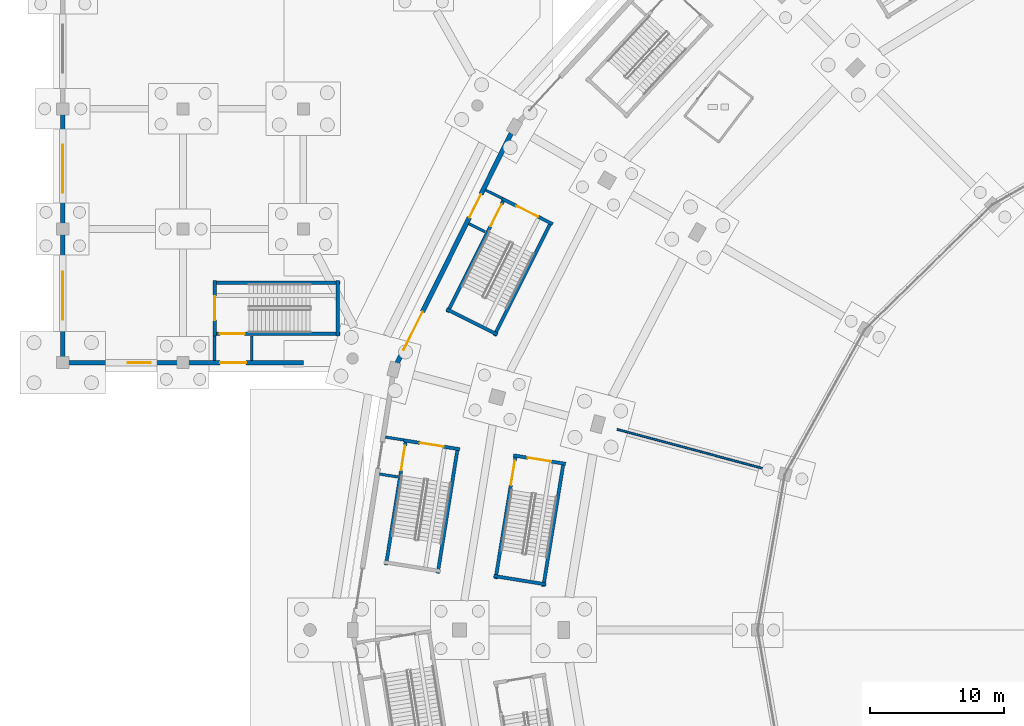
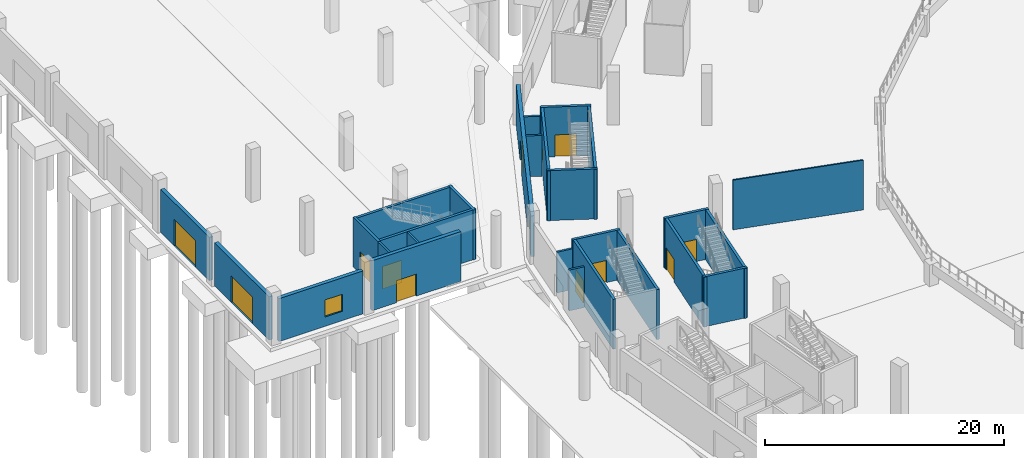
# One storey, part 35 of 103: 27 walls, 13 doors, 1 window, 14 openings.
"""IFC4 building model written with IfcOpenShell, lengths in metres."""

from ifc_helpers import new_model, si_unit, direction, frame, frame_2d, origin, place, context, subcontext, project, spatial, rectangle, extrude, material, layer, layer_set, type_object, element, fill, save


model = new_model("IFC4")

# Units and contexts
model_context = context("Model", 3, precision=1e-05, world=origin(), true_north=direction((0.0, 1.0)))
body_context = subcontext(model_context, "Body", "Model", "MODEL_VIEW")
ifc_project = project(units=[si_unit("LENGTHUNIT", "METRE"), si_unit("AREAUNIT", "SQUARE_METRE"), si_unit("VOLUMEUNIT", "CUBIC_METRE"), si_unit("PLANEANGLEUNIT", "RADIAN"), si_unit("MASSUNIT", "GRAM", prefix="KILO")], contexts=[model_context])

# Site, building, storey
site_placement = place(None, origin())
site = spatial("IfcSite", under=ifc_project, at=site_placement, CompositionType="ELEMENT")
building_placement = place(site_placement, origin())
building = spatial("IfcBuilding", under=site, at=building_placement, Name="Zevraka Park Crest Stadium", CompositionType="ELEMENT")
storey_placement = place(building_placement, origin())
storey = spatial("IfcBuildingStorey", under=building, at=storey_placement, Name="L00", CompositionType="ELEMENT", Elevation=0.0)

# Wall, openings, doors
ifc_material_1 = material(Name="Limestone and red clay brick masonry", Category="masonry")
ifc_layer_1 = layer(ifc_material_1, 0.35009765625)
ifc_layer_set_1 = layer_set([ifc_layer_1], Name="Limestone and red clay brick masonry")
wall_type_1 = type_object("IfcWallType", Name="EW01", PredefinedType="STANDARD", material=ifc_layer_set_1)
wall_1_placement = place(storey_placement, frame((25.014892578125, 111.968994140625, 0.0), z_axis=(0.0, 0.0, 1.0), x_axis=(0.444884558919, 0.895587923788, 0.0)))
wall_1 = element("IfcWall", 1, at=wall_1_placement, inside=storey, type_object=wall_type_1, Name="L00 Pointed-Arch Colonnade Wall EW01 10", PredefinedType="STANDARD", context=body_context, shape_type="SweptSolid", body=[
    extrude(rectangle(XDim=19.21630859375, YDim=0.35009765625, at=frame_2d((9.608154296875, 0.0))), origin(), (0.0, 0.0, 1.0), 4.1650390625),
])
opening_1_placement = place(wall_1_placement, frame((12.160888671875, 0.0, 0.0)))
opening_1 = element("IfcOpeningElement", 2, at=opening_1_placement, cuts=wall_1, Name="Opening D-L00-EX-ST11", PredefinedType="OPENING", context=body_context, shape_type="SweptSolid", body=[
    extrude(rectangle(XDim=1.949951171875, YDim=2.25, at=frame_2d((0.97509765625, 1.125))), frame((0.0, 0.18505859375, 0.0), z_axis=(0.0, -1.0, 0.0), x_axis=(1.0, 0.0, 0.0)), (0.0, 0.0, 1.0), 0.3701171875),
])
opening_2_placement = place(wall_1_placement, frame((1.090087890625, 0.0, 0.0)))
opening_2 = element("IfcOpeningElement", 3, at=opening_2_placement, cuts=wall_1, Name="Opening D-L00-E11", PredefinedType="OPENING", context=body_context, shape_type="SweptSolid", body=[
    extrude(rectangle(XDim=3.199951171875, YDim=2.60009765625, at=frame_2d((1.60009765625, 1.300048828125))), frame((0.0, 0.18505859375, 0.0), z_axis=(0.0, -1.0, 0.0), x_axis=(1.0, 0.0, 0.0)), (0.0, 0.0, 1.0), 0.3701171875),
])
ifc_material_2 = material(Name="Thermally broken architectural aluminium and safety glass", Category="aluminium")
door_type_1 = type_object("IfcDoorType", Name="ED03", OperationType="NOTDEFINED", PredefinedType="DOOR", material=ifc_material_2)
door_1_placement = place(opening_2_placement, origin())
door_1 = element("IfcDoor", 4, at=door_1_placement, inside=storey, type_object=door_type_1, Name="Concourse Final Exit E11", OperationType="DOUBLE_DOOR_SINGLE_SWING", OverallHeight=2.60009765625, OverallWidth=3.199951171875, PredefinedType="DOOR", context=body_context, shape_type="SweptSolid", body=[
    extrude(rectangle(XDim=3.199951171875, YDim=2.60009765625, at=frame_2d((1.60009765625, 1.300048828125))), frame((0.0, 0.02490234375, 0.0), z_axis=(0.0, -1.0, 0.0), x_axis=(1.0, 0.0, 0.0)), (0.0, 0.0, 1.0), 0.050048828125),
])
fill(opening_2, door_1)
ifc_material_3 = material(Name="Thermally broken architectural aluminium and safety glass", Category="aluminium")
door_type_2 = type_object("IfcDoorType", Name="ED05", OperationType="NOTDEFINED", PredefinedType="DOOR", material=ifc_material_3)
door_2_placement = place(opening_1_placement, origin())
door_2 = element("IfcDoor", 5, at=door_2_placement, inside=storey, type_object=door_type_2, Name="Stair Final Exit Discharge Door D-L00-EX-ST11", OperationType="DOUBLE_DOOR_SINGLE_SWING", OverallHeight=2.25, OverallWidth=1.949951171875, PredefinedType="DOOR", context=body_context, shape_type="SweptSolid", body=[
    extrude(rectangle(XDim=1.949951171875, YDim=2.25, at=frame_2d((0.97509765625, 1.125))), frame((0.0, 0.02490234375, 0.0), z_axis=(0.0, -1.0, 0.0), x_axis=(1.0, 0.0, 0.0)), (0.0, 0.0, 1.0), 0.050048828125),
])
fill(opening_1, door_2)

# Wall, opening, door
wall_2_placement = place(storey_placement, frame((0.0, 112.425048828125, 0.0), z_axis=(0.0, 0.0, 1.0), x_axis=(0.0, 1.0, 0.0)))
wall_2 = element("IfcWall", 6, at=wall_2_placement, inside=storey, type_object=wall_type_1, Name="Wing External Cavity Wall EW01 L00-NW-W-1", PredefinedType="STANDARD", context=body_context, shape_type="SweptSolid", body=[
    extrude(rectangle(XDim=9.14990234375, YDim=0.35009765625, at=frame_2d((4.574951171875, 0.0))), origin(), (0.0, 0.0, 1.0), 4.4169921875),
])
opening_3_placement = place(wall_2_placement, frame((2.77490234375, 0.0, 0.0)))
opening_3 = element("IfcOpeningElement", 7, at=opening_3_placement, cuts=wall_2, Name="Opening D-L00-E33", PredefinedType="OPENING", context=body_context, shape_type="SweptSolid", body=[
    extrude(rectangle(XDim=3.60009765625, YDim=2.699951171875, at=frame_2d((1.800048828125, 1.35009765625))), frame((0.0, 0.18505859375, 0.0), z_axis=(0.0, -1.0, 0.0), x_axis=(1.0, 0.0, 0.0)), (0.0, 0.0, 1.0), 0.3701171875),
])
ifc_material_4 = material(Name="Thermally broken architectural aluminium and safety glass", Category="aluminium")
door_type_3 = type_object("IfcDoorType", Name="ED01", OperationType="NOTDEFINED", PredefinedType="DOOR", material=ifc_material_4)
door_3_placement = place(opening_3_placement, origin())
door_3 = element("IfcDoor", 8, at=door_3_placement, inside=storey, type_object=door_type_3, Name="Concourse Final Exit E33", OperationType="DOUBLE_DOOR_SINGLE_SWING", OverallHeight=2.699951171875, OverallWidth=3.60009765625, PredefinedType="DOOR", context=body_context, shape_type="SweptSolid", body=[
    extrude(rectangle(XDim=3.60009765625, YDim=2.699951171875, at=frame_2d((1.800048828125, 1.35009765625))), frame((0.0, 0.02490234375, 0.0), z_axis=(0.0, -1.0, 0.0), x_axis=(1.0, 0.0, 0.0)), (0.0, 0.0, 1.0), 0.050048828125),
])
fill(opening_3, door_3)

wall_3_placement = place(storey_placement, frame((0.0, 122.425048828125, 0.0), z_axis=(0.0, 0.0, 1.0), x_axis=(0.0, 1.0, 0.0)))
wall_3 = element("IfcWall", 9, at=wall_3_placement, inside=storey, type_object=wall_type_1, Name="Wing External Cavity Wall EW01 L00-NW-W-2", PredefinedType="STANDARD", context=body_context, shape_type="SweptSolid", body=[
    extrude(rectangle(XDim=8.14990234375, YDim=0.35009765625, at=frame_2d((4.074951171875, 0.0))), origin(), (0.0, 0.0, 1.0), 4.4169921875),
])
opening_4_placement = place(wall_3_placement, frame((2.27490234375, 0.0, 0.0)))
opening_4 = element("IfcOpeningElement", 10, at=opening_4_placement, cuts=wall_3, Name="Opening D-L00-E34", PredefinedType="OPENING", context=body_context, shape_type="SweptSolid", body=[
    extrude(rectangle(XDim=3.60009765625, YDim=2.699951171875, at=frame_2d((1.800048828125, 1.35009765625))), frame((0.0, 0.18505859375, 0.0), z_axis=(0.0, -1.0, 0.0), x_axis=(1.0, 0.0, 0.0)), (0.0, 0.0, 1.0), 0.3701171875),
])
door_4_placement = place(opening_4_placement, origin())
door_4 = element("IfcDoor", 11, at=door_4_placement, inside=storey, type_object=door_type_3, Name="Concourse Final Exit E34", OperationType="DOUBLE_DOOR_SINGLE_SWING", OverallHeight=2.699951171875, OverallWidth=3.60009765625, PredefinedType="DOOR", context=body_context, shape_type="SweptSolid", body=[
    extrude(rectangle(XDim=3.60009765625, YDim=2.699951171875, at=frame_2d((1.800048828125, 1.35009765625))), frame((0.0, 0.02490234375, 0.0), z_axis=(0.0, -1.0, 0.0), x_axis=(1.0, 0.0, 0.0)), (0.0, 0.0, 1.0), 0.050048828125),
])
fill(opening_4, door_4)

wall_4_placement = place(storey_placement, frame((18.0, 112.0, 0.0), z_axis=(0.0, 0.0, 1.0), x_axis=(-1.0, 0.0, 0.0)))
wall_4 = element("IfcWall", 12, at=wall_4_placement, inside=storey, type_object=wall_type_1, Name="Wing External Cavity Wall EW01 L00-NW-S0-2", PredefinedType="STANDARD", context=body_context, shape_type="SweptSolid", body=[
    extrude(rectangle(XDim=8.574951171875, YDim=0.35009765625, at=frame_2d((4.28759765625, 0.0))), origin(), (0.0, 0.0, 1.0), 5.10009765625),
])
opening_5_placement = place(wall_4_placement, frame((4.27490234375, 0.0, 0.0)))
opening_5 = element("IfcOpeningElement", 13, at=opening_5_placement, cuts=wall_4, Name="Opening D-L00-EX-ST48", PredefinedType="OPENING", context=body_context, shape_type="SweptSolid", body=[
    extrude(rectangle(XDim=1.949951171875, YDim=2.25, at=frame_2d((0.97509765625, 1.125))), frame((0.0, 0.18505859375, 0.0), z_axis=(0.0, -1.0, 0.0), x_axis=(1.0, 0.0, 0.0)), (0.0, 0.0, 1.0), 0.3701171875),
])
door_5_placement = place(opening_5_placement, origin())
door_5 = element("IfcDoor", 14, at=door_5_placement, inside=storey, type_object=door_type_2, Name="Stair Final Exit Discharge Door D-L00-EX-ST48", OperationType="DOUBLE_DOOR_SINGLE_SWING", OverallHeight=2.25, OverallWidth=1.949951171875, PredefinedType="DOOR", context=body_context, shape_type="SweptSolid", body=[
    extrude(rectangle(XDim=1.949951171875, YDim=2.25, at=frame_2d((0.97509765625, 1.125))), frame((0.0, 0.02490234375, 0.0), z_axis=(0.0, -1.0, 0.0), x_axis=(1.0, 0.0, 0.0)), (0.0, 0.0, 1.0), 0.050048828125),
])
fill(opening_5, door_5)

# Wall, opening, window
wall_5_placement = place(storey_placement, frame((8.574951171875, 112.0, 0.0), z_axis=(0.0, 0.0, 1.0), x_axis=(-1.0, 0.0, 0.0)))
wall_5 = element("IfcWall", 15, at=wall_5_placement, inside=storey, type_object=wall_type_1, Name="Wing External Cavity Wall EW01 L00-NW-S0-3", PredefinedType="STANDARD", context=body_context, shape_type="SweptSolid", body=[
    extrude(rectangle(XDim=8.14990234375, YDim=0.35009765625, at=frame_2d((4.074951171875, 0.0))), origin(), (0.0, 0.0, 1.0), 4.383544921875),
])
opening_6_placement = place(wall_5_placement, frame((2.001953125, 0.0, 0.949951171875)))
opening_6 = element("IfcOpeningElement", 16, at=opening_6_placement, cuts=wall_5, Name="Opening WN16", PredefinedType="OPENING", context=body_context, shape_type="SweptSolid", body=[
    extrude(rectangle(XDim=1.699951171875, YDim=1.75, at=frame_2d((0.85009765625, 0.875))), frame((0.0, 0.18505859375, 0.0), z_axis=(0.0, -1.0, 0.0), x_axis=(1.0, 0.0, 0.0)), (0.0, 0.0, 1.0), 0.3701171875),
])
ifc_material_5 = material(Name="Solar-control laminated double glazing in aluminium frame", Category="aluminium")
window_type = type_object("IfcWindowType", Name="WN16", PartitioningType="SINGLE_PANEL", PredefinedType="WINDOW", material=ifc_material_5)
window_placement = place(opening_6_placement, origin())
window = element("IfcWindow", 17, at=window_placement, inside=storey, type_object=window_type, Name="Facade Casement Window WN16 W-L00-057", OverallHeight=1.75, OverallWidth=1.699951171875, PartitioningType="SINGLE_PANEL", PredefinedType="WINDOW", context=body_context, shape_type="SweptSolid", body=[
    extrude(rectangle(XDim=1.699951171875, YDim=1.75, at=frame_2d((0.85009765625, 0.875))), frame((0.0, 0.030029296875, 0.0), z_axis=(0.0, -1.0, 0.0), x_axis=(1.0, 0.0, 0.0)), (0.0, 0.0, 1.0), 0.06005859375),
])
fill(opening_6, window)

# Walls
ifc_material_6 = material(Name="Autoclaved aerated masonry blockwork", Category="masonry")
ifc_layer_2 = layer(ifc_material_6, 0.199951171875)
ifc_layer_set_2 = layer_set([ifc_layer_2], Name="Autoclaved aerated masonry blockwork")
wall_type_2 = type_object("IfcWallType", Name="IW01", PredefinedType="PARTITIONING", material=ifc_layer_set_2)
wall_6_placement = place(storey_placement, frame((32.86669921875, 124.300048828125, 0.0), z_axis=(0.0, 0.0, 1.0), x_axis=(-0.895547753185, 0.444965416371, 0.0)))
element("IfcWall", 18, at=wall_6_placement, inside=storey, type_object=wall_type_2, Name="Protected Exit Passageway Wall IW01 ST11-A", PredefinedType="PARTITIONING", context=body_context, shape_type="SweptSolid", body=[
    extrude(rectangle(XDim=1.390869140625, YDim=0.199951171875, at=frame_2d((0.6953125, 0.0))), origin(), (0.0, 0.0, 1.0), 4.1650390625),
])
wall_7_placement = place(storey_placement, frame((31.612548828125, 121.796630859375, 0.0), z_axis=(0.0, 0.0, 1.0), x_axis=(-0.895731004012, 0.44459641075, 0.0)))
element("IfcWall", 19, at=wall_7_placement, inside=storey, type_object=wall_type_2, Name="Protected Exit Passageway Wall IW01 ST11-B", PredefinedType="PARTITIONING", context=body_context, shape_type="SweptSolid", body=[
    extrude(rectangle(XDim=1.381591796875, YDim=0.199951171875, at=frame_2d((0.69091796875, 0.0))), origin(), (0.0, 0.0, 1.0), 4.1650390625),
])
wall_8_placement = place(storey_placement, frame((25.5078125, 106.217529296875, 0.0), z_axis=(0.0, 0.0, 1.0), x_axis=(-0.987768665993, 0.155926464982, 0.0)))
element("IfcWall", 20, at=wall_8_placement, inside=storey, type_object=wall_type_2, Name="Protected Exit Passageway Wall IW01 ST12-A", PredefinedType="PARTITIONING", context=body_context, shape_type="SweptSolid", body=[
    extrude(rectangle(XDim=1.388916015625, YDim=0.199951171875, at=frame_2d((0.6943359375, 0.0))), origin(), (0.0, 0.0, 1.0), 4.1650390625),
])
wall_9_placement = place(storey_placement, frame((25.0673828125, 103.452392578125, 0.0), z_axis=(0.0, 0.0, 1.0), x_axis=(-0.987817205995, 0.155618660641, 0.0)))
element("IfcWall", 21, at=wall_9_placement, inside=storey, type_object=wall_type_2, Name="Protected Exit Passageway Wall IW01 ST12-B", PredefinedType="PARTITIONING", context=body_context, shape_type="SweptSolid", body=[
    extrude(rectangle(XDim=1.38525390625, YDim=0.199951171875, at=frame_2d((0.692626953125, 0.0))), origin(), (0.0, 0.0, 1.0), 4.1650390625),
])
for number, where, z_axis, x_axis, name in (
    (22, (11.35009765625, 114.0, 0.0), (0.0, 0.0, 1.0), (0.0, -1.0, 0.0), "Protected Exit Passageway Wall IW01 ST48-A"),
    (23, (14.14990234375, 114.0, 0.0), (0.0, 0.0, 1.0), (0.0, -1.0, 0.0), "Protected Exit Passageway Wall IW01 ST48-B"),
):
    element("IfcWall", number, at=place(storey_placement, frame(where, z_axis=z_axis, x_axis=x_axis)), inside=storey, type_object=wall_type_2, Name=name, PredefinedType="PARTITIONING", context=body_context, shape_type="SweptSolid", body=[
        extrude(rectangle(XDim=1.844970703125, YDim=0.199951171875, at=frame_2d((0.92236328125, 0.0))), origin(), (0.0, 0.0, 1.0), 5.080078125),
    ])
ifc_material_7 = material(Name="Fire-rated twin-stud acoustic drywall", Category="other")
ifc_layer_3 = layer(ifc_material_7, 0.139892578125)
ifc_layer_set_3 = layer_set([ifc_layer_3], Name="Fire-rated twin-stud acoustic drywall")
wall_type_3 = type_object("IfcWallType", Name="IW03", PredefinedType="PARTITIONING", material=ifc_layer_set_3)
wall_10_placement = place(storey_placement, frame((52.402099609375, 104.0869140625, 0.0), z_axis=(0.0, 0.0, 1.0), x_axis=(-0.965917575353, 0.258849836054, 0.0)))
element("IfcWall", 24, at=wall_10_placement, inside=storey, type_object=wall_type_3, Name="Interior Partition IW03 Match Officials and Medical Doping Room L00", PredefinedType="PARTITIONING", context=body_context, shape_type="SweptSolid", body=[
    extrude(rectangle(XDim=11.30029296875, YDim=0.139892578125, at=frame_2d((5.650146484375, 0.0))), origin(), (0.0, 0.0, 1.0), 5.080078125),
])

# Wall, opening, door
ifc_material_8 = material(Name="Concrete C40/50", Category="concrete")
ifc_layer_4 = layer(ifc_material_8, 0.25)
ifc_layer_set_4 = layer_set([ifc_layer_4], Name="Concrete C40/50")
wall_type_4 = type_object("IfcWallType", Name="SW01", PredefinedType="SHEAR", material=ifc_layer_set_4)
wall_11_placement = place(storey_placement, frame((28.785888671875, 115.77490234375, 0.0), z_axis=(0.0, 0.0, 1.0), x_axis=(0.447919041961, 0.894074119885, 0.0)))
wall_11 = element("IfcWall", 25, at=wall_11_placement, inside=storey, type_object=wall_type_4, Name="Stair Core Shear Wall SW01 ST11 L00 left", PredefinedType="SHEAR", context=body_context, shape_type="SweptSolid", body=[
    extrude(rectangle(XDim=9.5498046875, YDim=0.25, at=frame_2d((4.77490234375, 0.0))), origin(), (0.0, 0.0, 1.0), 5.10009765625),
])
opening_7_placement = place(wall_11_placement, frame((7.18994140625, 0.0, 0.0)))
opening_7 = element("IfcOpeningElement", 26, at=opening_7_placement, cuts=wall_11, Name="Opening D-L00-063", PredefinedType="OPENING", context=body_context, shape_type="SweptSolid", body=[
    extrude(rectangle(XDim=1.85009765625, YDim=2.300048828125, at=frame_2d((0.925048828125, 1.14990234375))), frame((0.0, 0.135009765625, 0.0), z_axis=(0.0, -1.0, 0.0), x_axis=(1.0, 0.0, 0.0)), (0.0, 0.0, 1.0), 0.27001953125),
])
ifc_material_9 = material(Name="Solid-core hardwood timber leaf in steel frame", Category="steel")
door_type_4 = type_object("IfcDoorType", Name="DR05", OperationType="NOTDEFINED", PredefinedType="DOOR", material=ifc_material_9)
door_6_placement = place(opening_7_placement, origin())
door_6 = element("IfcDoor", 27, at=door_6_placement, inside=storey, type_object=door_type_4, Name="Stair Exit Discharge Door ST11", OperationType="DOUBLE_DOOR_SINGLE_SWING", OverallHeight=2.300048828125, OverallWidth=1.85009765625, PredefinedType="DOOR", context=body_context, shape_type="SweptSolid", body=[
    extrude(rectangle(XDim=1.85009765625, YDim=2.300048828125, at=frame_2d((0.925048828125, 1.14990234375))), frame((0.0, 0.02490234375, 0.0), z_axis=(0.0, -1.0, 0.0), x_axis=(1.0, 0.0, 0.0)), (0.0, 0.0, 1.0), 0.050048828125),
])
fill(opening_7, door_6)

# Wall
wall_12_placement = place(storey_placement, frame((32.29052734375, 114.01904296875, 0.0), z_axis=(0.0, 0.0, 1.0), x_axis=(0.4479088042, 0.894079248792, 0.0)))
element("IfcWall", 28, at=wall_12_placement, inside=storey, type_object=wall_type_4, Name="Stair Core Shear Wall SW01 ST11 L00 right", PredefinedType="SHEAR", context=body_context, shape_type="SweptSolid", body=[
    extrude(rectangle(XDim=9.550048828125, YDim=0.25, at=frame_2d((4.77490234375, 0.0))), origin(), (0.0, 0.0, 1.0), 5.10009765625),
])

# Wall, opening, door
wall_13_placement = place(storey_placement, frame((36.664306640625, 122.36962890625, 0.0), z_axis=(0.0, 0.0, 1.0), x_axis=(-0.894071595331, 0.447924081092, 0.0)))
wall_13 = element("IfcWall", 29, at=wall_13_placement, inside=storey, type_object=wall_type_4, Name="Stair Core Shear Wall SW01 ST11 L00 near", PredefinedType="SHEAR", context=body_context, shape_type="SweptSolid", body=[
    extrude(rectangle(XDim=4.260009765625, YDim=0.25, at=frame_2d((2.1298828125, 0.0))), origin(), (0.0, 0.0, 1.0), 5.10009765625),
])
opening_8_placement = place(wall_13_placement, frame((1.22998046875, 0.0, 0.0)))
opening_8 = element("IfcOpeningElement", 30, at=opening_8_placement, cuts=wall_13, Name="Opening D-L00-062", PredefinedType="OPENING", context=body_context, shape_type="SweptSolid", body=[
    extrude(rectangle(XDim=1.800048828125, YDim=2.25, at=frame_2d((0.89990234375, 1.125))), frame((0.0, 0.135009765625, 0.0), z_axis=(0.0, -1.0, 0.0), x_axis=(1.0, 0.0, 0.0)), (0.0, 0.0, 1.0), 0.27001953125),
])
ifc_material_10 = material(Name="Solid-core hardwood timber leaf in steel frame", Category="steel")
door_type_5 = type_object("IfcDoorType", Name="DR04", OperationType="NOTDEFINED", PredefinedType="DOOR", material=ifc_material_10)
door_7_placement = place(opening_8_placement, origin())
door_7 = element("IfcDoor", 31, at=door_7_placement, inside=storey, type_object=door_type_5, Name="Protected Stair Entry Door ST11 L00", OperationType="DOUBLE_DOOR_SINGLE_SWING", OverallHeight=2.25, OverallWidth=1.800048828125, PredefinedType="DOOR", context=body_context, shape_type="SweptSolid", body=[
    extrude(rectangle(XDim=1.800048828125, YDim=2.25, at=frame_2d((0.89990234375, 1.125))), frame((0.0, 0.02490234375, 0.0), z_axis=(0.0, -1.0, 0.0), x_axis=(1.0, 0.0, 0.0)), (0.0, 0.0, 1.0), 0.050048828125),
])
fill(opening_8, door_7)

# Wall
wall_14_placement = place(storey_placement, frame((28.716796875, 116.016357421875, 0.0), z_axis=(0.0, 0.0, 1.0), x_axis=(0.894083048484, -0.447901219481, 0.0)))
element("IfcWall", 32, at=wall_14_placement, inside=storey, type_object=wall_type_4, Name="Stair Core Shear Wall SW01 ST11 L00 far", PredefinedType="SHEAR", context=body_context, shape_type="SweptSolid", body=[
    extrude(rectangle(XDim=4.259765625, YDim=0.25, at=frame_2d((2.1298828125, 0.0))), origin(), (0.0, 0.0, 1.0), 5.10009765625),
])

# Wall, opening, door
wall_15_placement = place(storey_placement, frame((24.189453125, 96.8583984375, 0.0), z_axis=(0.0, 0.0, 1.0), x_axis=(0.157272580499, 0.987555231581, 0.0)))
wall_15 = element("IfcWall", 33, at=wall_15_placement, inside=storey, type_object=wall_type_4, Name="Stair Core Shear Wall SW01 ST12 L00 left", PredefinedType="SHEAR", context=body_context, shape_type="SweptSolid", body=[
    extrude(rectangle(XDim=9.550048828125, YDim=0.25, at=frame_2d((4.77490234375, 0.0))), origin(), (0.0, 0.0, 1.0), 5.10009765625),
])
opening_9_placement = place(wall_15_placement, frame((7.18994140625, 0.0, 0.0)))
opening_9 = element("IfcOpeningElement", 34, at=opening_9_placement, cuts=wall_15, Name="Opening D-L00-069", PredefinedType="OPENING", context=body_context, shape_type="SweptSolid", body=[
    extrude(rectangle(XDim=1.85009765625, YDim=2.300048828125, at=frame_2d((0.925048828125, 1.14990234375))), frame((0.0, 0.135009765625, 0.0), z_axis=(0.0, -1.0, 0.0), x_axis=(1.0, 0.0, 0.0)), (0.0, 0.0, 1.0), 0.27001953125),
])
door_8_placement = place(opening_9_placement, origin())
door_8 = element("IfcDoor", 35, at=door_8_placement, inside=storey, type_object=door_type_4, Name="Stair Exit Discharge Door ST12", OperationType="DOUBLE_DOOR_SINGLE_SWING", OverallHeight=2.300048828125, OverallWidth=1.85009765625, PredefinedType="DOOR", context=body_context, shape_type="SweptSolid", body=[
    extrude(rectangle(XDim=1.85009765625, YDim=2.300048828125, at=frame_2d((0.925048828125, 1.14990234375))), frame((0.0, 0.02490234375, 0.0), z_axis=(0.0, -1.0, 0.0), x_axis=(1.0, 0.0, 0.0)), (0.0, 0.0, 1.0), 0.050048828125),
])
fill(opening_9, door_8)

# Wall
wall_16_placement = place(storey_placement, frame((28.060791015625, 96.241943359375, 0.0), z_axis=(0.0, 0.0, 1.0), x_axis=(0.157247648214, 0.987559201836, 0.0)))
element("IfcWall", 36, at=wall_16_placement, inside=storey, type_object=wall_type_4, Name="Stair Core Shear Wall SW01 ST12 L00 right", PredefinedType="SHEAR", context=body_context, shape_type="SweptSolid", body=[
    extrude(rectangle(XDim=9.550048828125, YDim=0.25, at=frame_2d((4.77490234375, 0.0))), origin(), (0.0, 0.0, 1.0), 5.10009765625),
])

# Wall, opening, door
wall_17_placement = place(storey_placement, frame((29.710693359375, 105.522705078125, 0.0), z_axis=(0.0, 0.0, 1.0), x_axis=(-0.987548759282, 0.157313216355, 0.0)))
wall_17 = element("IfcWall", 37, at=wall_17_placement, inside=storey, type_object=wall_type_4, Name="Stair Core Shear Wall SW01 ST12 L00 near", PredefinedType="SHEAR", context=body_context, shape_type="SweptSolid", body=[
    extrude(rectangle(XDim=4.260009765625, YDim=0.25, at=frame_2d((2.1298828125, 0.0))), origin(), (0.0, 0.0, 1.0), 5.10009765625),
])
opening_10_placement = place(wall_17_placement, frame((1.22998046875, 0.0, 0.0)))
opening_10 = element("IfcOpeningElement", 38, at=opening_10_placement, cuts=wall_17, Name="Opening D-L00-068", PredefinedType="OPENING", context=body_context, shape_type="SweptSolid", body=[
    extrude(rectangle(XDim=1.800048828125, YDim=2.25, at=frame_2d((0.89990234375, 1.125))), frame((0.0, 0.135009765625, 0.0), z_axis=(0.0, -1.0, 0.0), x_axis=(1.0, 0.0, 0.0)), (0.0, 0.0, 1.0), 0.27001953125),
])
door_9_placement = place(opening_10_placement, origin())
door_9 = element("IfcDoor", 39, at=door_9_placement, inside=storey, type_object=door_type_5, Name="Protected Stair Entry Door ST12 L00", OperationType="DOUBLE_DOOR_SINGLE_SWING", OverallHeight=2.25, OverallWidth=1.800048828125, PredefinedType="DOOR", context=body_context, shape_type="SweptSolid", body=[
    extrude(rectangle(XDim=1.800048828125, YDim=2.25, at=frame_2d((0.89990234375, 1.125))), frame((0.0, 0.02490234375, 0.0), z_axis=(0.0, -1.0, 0.0), x_axis=(1.0, 0.0, 0.0)), (0.0, 0.0, 1.0), 0.050048828125),
])
fill(opening_10, door_9)

wall_18_placement = place(storey_placement, frame((32.390625, 95.83251953125, 0.0), z_axis=(0.0, 0.0, 1.0), x_axis=(0.160694331821, 0.987004220721, 0.0)))
wall_18 = element("IfcWall", 40, at=wall_18_placement, inside=storey, type_object=wall_type_4, Name="Stair Core Shear Wall SW01 ST38 L00 left", PredefinedType="SHEAR", context=body_context, shape_type="SweptSolid", body=[
    extrude(rectangle(XDim=9.449951171875, YDim=0.25, at=frame_2d((4.72509765625, 0.0))), origin(), (0.0, 0.0, 1.0), 5.10009765625),
])
opening_11_placement = place(wall_18_placement, frame((7.090087890625, 0.0, 0.0)))
opening_11 = element("IfcOpeningElement", 41, at=opening_11_placement, cuts=wall_18, Name="Opening D-L00-206", PredefinedType="OPENING", context=body_context, shape_type="SweptSolid", body=[
    extrude(rectangle(XDim=1.85009765625, YDim=2.300048828125, at=frame_2d((0.925048828125, 1.14990234375))), frame((0.0, 0.135009765625, 0.0), z_axis=(0.0, -1.0, 0.0), x_axis=(1.0, 0.0, 0.0)), (0.0, 0.0, 1.0), 0.27001953125),
])
door_10_placement = place(opening_11_placement, origin())
door_10 = element("IfcDoor", 42, at=door_10_placement, inside=storey, type_object=door_type_4, Name="Stair Exit Discharge Door ST38", OperationType="DOUBLE_DOOR_SINGLE_SWING", OverallHeight=2.300048828125, OverallWidth=1.85009765625, PredefinedType="DOOR", context=body_context, shape_type="SweptSolid", body=[
    extrude(rectangle(XDim=1.85009765625, YDim=2.300048828125, at=frame_2d((0.925048828125, 1.14990234375))), frame((0.0, 0.02490234375, 0.0), z_axis=(0.0, -1.0, 0.0), x_axis=(1.0, 0.0, 0.0)), (0.0, 0.0, 1.0), 0.050048828125),
])
fill(opening_11, door_10)

# Wall
wall_19_placement = place(storey_placement, frame((35.96337890625, 95.250732421875, 0.0), z_axis=(0.0, 0.0, 1.0), x_axis=(0.160719499634, 0.987000122815, 0.0)))
element("IfcWall", 43, at=wall_19_placement, inside=storey, type_object=wall_type_4, Name="Stair Core Shear Wall SW01 ST38 L00 right", PredefinedType="SHEAR", context=body_context, shape_type="SweptSolid", body=[
    extrude(rectangle(XDim=9.449951171875, YDim=0.25, at=frame_2d((4.72509765625, 0.0))), origin(), (0.0, 0.0, 1.0), 5.10009765625),
])

# Wall, opening, door
wall_20_placement = place(storey_placement, frame((37.6298828125, 104.42724609375, 0.0), z_axis=(0.0, 0.0, 1.0), x_axis=(-0.987008406822, 0.160668618163, 0.0)))
wall_20 = element("IfcWall", 44, at=wall_20_placement, inside=storey, type_object=wall_type_4, Name="Stair Core Shear Wall SW01 ST38 L00 near", PredefinedType="SHEAR", context=body_context, shape_type="SweptSolid", body=[
    extrude(rectangle(XDim=3.9599609375, YDim=0.25, at=frame_2d((1.97998046875, 0.0))), origin(), (0.0, 0.0, 1.0), 5.10009765625),
])
opening_12_placement = place(wall_20_placement, frame((1.080078125, 0.0, 0.0)))
opening_12 = element("IfcOpeningElement", 45, at=opening_12_placement, cuts=wall_20, Name="Opening D-L00-205", PredefinedType="OPENING", context=body_context, shape_type="SweptSolid", body=[
    extrude(rectangle(XDim=1.800048828125, YDim=2.25, at=frame_2d((0.89990234375, 1.125))), frame((0.0, 0.135009765625, 0.0), z_axis=(0.0, -1.0, 0.0), x_axis=(1.0, 0.0, 0.0)), (0.0, 0.0, 1.0), 0.27001953125),
])
door_11_placement = place(opening_12_placement, origin())
door_11 = element("IfcDoor", 46, at=door_11_placement, inside=storey, type_object=door_type_5, Name="Protected Stair Entry Door ST38 L00", OperationType="DOUBLE_DOOR_SINGLE_SWING", OverallHeight=2.25, OverallWidth=1.800048828125, PredefinedType="DOOR", context=body_context, shape_type="SweptSolid", body=[
    extrude(rectangle(XDim=1.800048828125, YDim=2.25, at=frame_2d((0.89990234375, 1.125))), frame((0.0, 0.02490234375, 0.0), z_axis=(0.0, -1.0, 0.0), x_axis=(1.0, 0.0, 0.0)), (0.0, 0.0, 1.0), 0.050048828125),
])
fill(opening_12, door_11)

# Wall
wall_21_placement = place(storey_placement, frame((32.25244140625, 96.042236328125, 0.0), z_axis=(0.0, 0.0, 1.0), x_axis=(0.987008406822, -0.160668618163, 0.0)))
element("IfcWall", 47, at=wall_21_placement, inside=storey, type_object=wall_type_4, Name="Stair Core Shear Wall SW01 ST38 L00 far", PredefinedType="SHEAR", context=body_context, shape_type="SweptSolid", body=[
    extrude(rectangle(XDim=3.9599609375, YDim=0.25, at=frame_2d((1.97998046875, 0.0))), origin(), (0.0, 0.0, 1.0), 5.10009765625),
])

# Wall, opening, door
wall_22_placement = place(storey_placement, frame((20.75, 114.169921875, 0.0), z_axis=(0.0, 0.0, 1.0), x_axis=(-1.0, 0.0, 0.0)))
wall_22 = element("IfcWall", 48, at=wall_22_placement, inside=storey, type_object=wall_type_4, Name="Stair Core Shear Wall SW01 ST48 L00 left", PredefinedType="SHEAR", context=body_context, shape_type="SweptSolid", body=[
    extrude(rectangle(XDim=9.5, YDim=0.25, at=frame_2d((4.75, 0.0))), origin(), (0.0, 0.0, 1.0), 5.10009765625),
])
opening_13_placement = place(wall_22_placement, frame((7.139892578125, 0.0, 0.0)))
opening_13 = element("IfcOpeningElement", 49, at=opening_13_placement, cuts=wall_22, Name="Opening D-L00-249", PredefinedType="OPENING", context=body_context, shape_type="SweptSolid", body=[
    extrude(rectangle(XDim=1.85009765625, YDim=2.300048828125, at=frame_2d((0.925048828125, 1.14990234375))), frame((0.0, 0.135009765625, 0.0), z_axis=(0.0, -1.0, 0.0), x_axis=(1.0, 0.0, 0.0)), (0.0, 0.0, 1.0), 0.27001953125),
])
door_12_placement = place(opening_13_placement, origin())
door_12 = element("IfcDoor", 50, at=door_12_placement, inside=storey, type_object=door_type_4, Name="Stair Exit Discharge Door ST48", OperationType="DOUBLE_DOOR_SINGLE_SWING", OverallHeight=2.300048828125, OverallWidth=1.85009765625, PredefinedType="DOOR", context=body_context, shape_type="SweptSolid", body=[
    extrude(rectangle(XDim=1.85009765625, YDim=2.300048828125, at=frame_2d((0.925048828125, 1.14990234375))), frame((0.0, 0.02490234375, 0.0), z_axis=(0.0, -1.0, 0.0), x_axis=(1.0, 0.0, 0.0)), (0.0, 0.0, 1.0), 0.050048828125),
])
fill(opening_13, door_12)

# Wall
wall_23_placement = place(storey_placement, frame((20.75, 117.989990234375, 0.0), z_axis=(0.0, 0.0, 1.0), x_axis=(-1.0, 0.0, 0.0)))
element("IfcWall", 51, at=wall_23_placement, inside=storey, type_object=wall_type_4, Name="Stair Core Shear Wall SW01 ST48 L00 right", PredefinedType="SHEAR", context=body_context, shape_type="SweptSolid", body=[
    extrude(rectangle(XDim=9.5, YDim=0.25, at=frame_2d((4.75, 0.0))), origin(), (0.0, 0.0, 1.0), 5.10009765625),
])

# Wall, opening, door
wall_24_placement = place(storey_placement, frame((11.375, 118.159912109375, 0.0), z_axis=(0.0, 0.0, 1.0), x_axis=(0.0, -1.0, 0.0)))
wall_24 = element("IfcWall", 52, at=wall_24_placement, inside=storey, type_object=wall_type_4, Name="Stair Core Shear Wall SW01 ST48 L00 near", PredefinedType="SHEAR", context=body_context, shape_type="SweptSolid", body=[
    extrude(rectangle(XDim=4.159912109375, YDim=0.25, at=frame_2d((2.080078125, 0.0))), origin(), (0.0, 0.0, 1.0), 5.10009765625),
])
opening_14_placement = place(wall_24_placement, frame((1.179931640625, 0.0, 0.0)))
opening_14 = element("IfcOpeningElement", 53, at=opening_14_placement, cuts=wall_24, Name="Opening D-L00-248", PredefinedType="OPENING", context=body_context, shape_type="SweptSolid", body=[
    extrude(rectangle(XDim=1.800048828125, YDim=2.25, at=frame_2d((0.89990234375, 1.125))), frame((0.0, 0.135009765625, 0.0), z_axis=(0.0, -1.0, 0.0), x_axis=(1.0, 0.0, 0.0)), (0.0, 0.0, 1.0), 0.27001953125),
])
door_13_placement = place(opening_14_placement, origin())
door_13 = element("IfcDoor", 54, at=door_13_placement, inside=storey, type_object=door_type_5, Name="Protected Stair Entry Door ST48 L00", OperationType="DOUBLE_DOOR_SINGLE_SWING", OverallHeight=2.25, OverallWidth=1.800048828125, PredefinedType="DOOR", context=body_context, shape_type="SweptSolid", body=[
    extrude(rectangle(XDim=1.800048828125, YDim=2.25, at=frame_2d((0.89990234375, 1.125))), frame((0.0, 0.02490234375, 0.0), z_axis=(0.0, -1.0, 0.0), x_axis=(1.0, 0.0, 0.0)), (0.0, 0.0, 1.0), 0.050048828125),
])
fill(opening_14, door_13)

# Wall
wall_25_placement = place(storey_placement, frame((20.56494140625, 114.0, 0.0), z_axis=(0.0, 0.0, 1.0), x_axis=(0.0, 1.0, 0.0)))
element("IfcWall", 55, at=wall_25_placement, inside=storey, type_object=wall_type_4, Name="Stair Core Shear Wall SW01 ST48 L00 far", PredefinedType="SHEAR", context=body_context, shape_type="SweptSolid", body=[
    extrude(rectangle(XDim=4.159912109375, YDim=0.25, at=frame_2d((2.080078125, 0.0))), origin(), (0.0, 0.0, 1.0), 5.10009765625),
])

save(model, "model.ifc")
